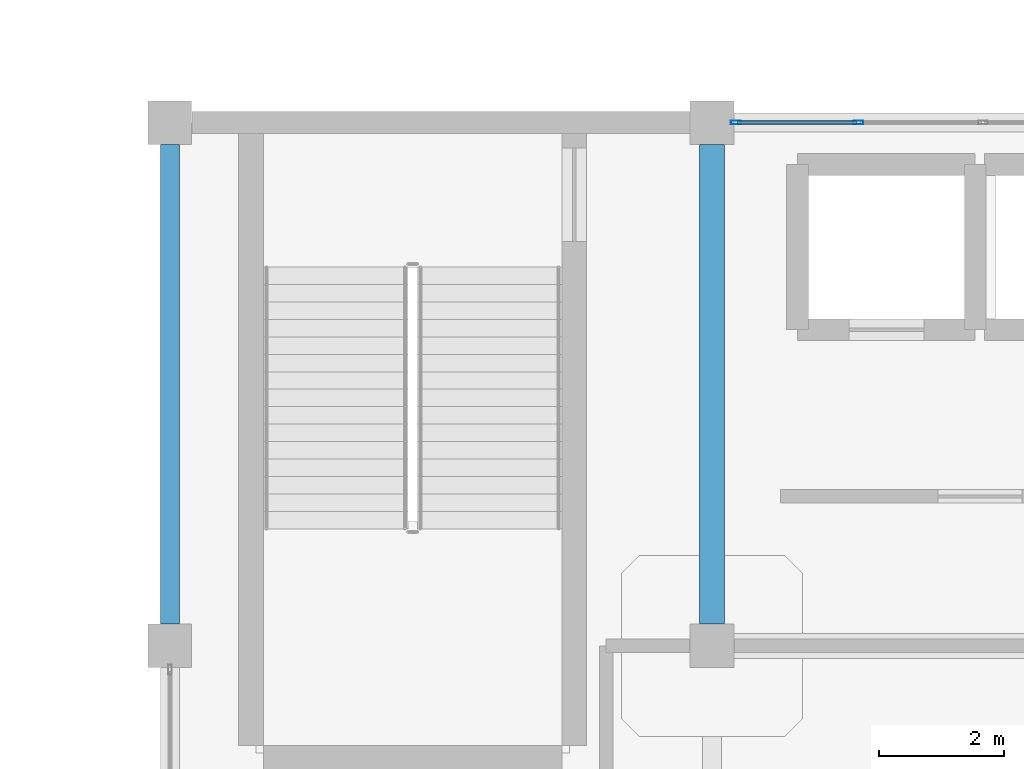
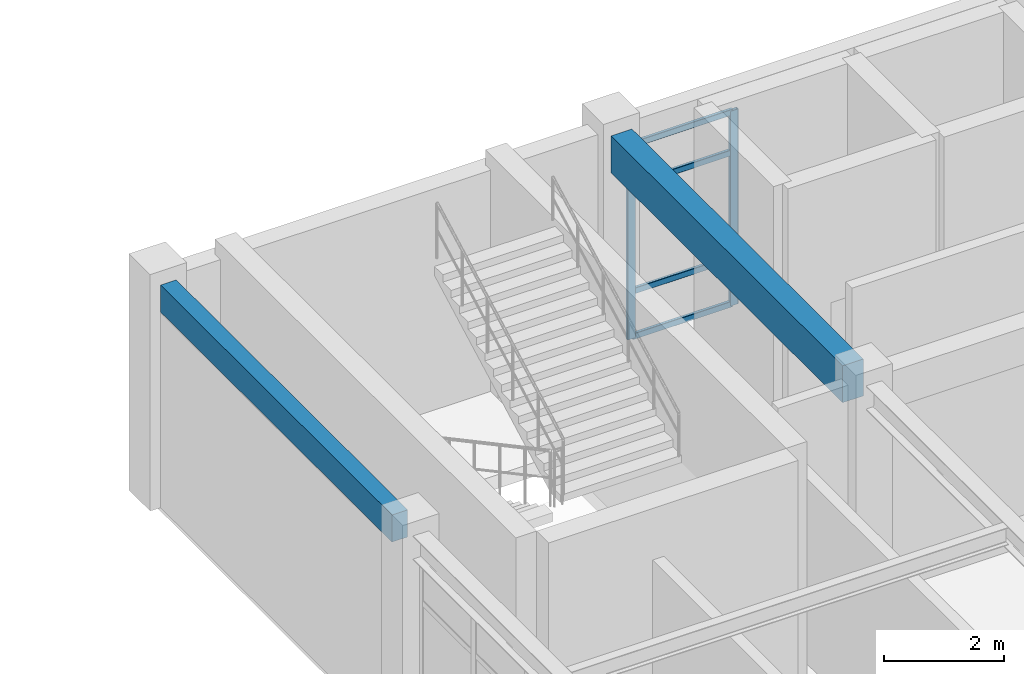
# One storey, part 32 of 76: 6 members, 2 beams, 1 element without a shape of its own.
"""IFC4 building model written with IfcOpenShell, lengths in metres."""

from ifc_helpers import new_model, si_unit, derived_unit, direction, frame, origin, origin_2d, place, context, subcontext, project, spatial, rectangle, hollow_rectangle, extrude, material, layer, layer_set, material_profile, profile_set, type_object, element, aggregate, save


model = new_model("IFC4")

# Units and contexts
model_context = context("Model", 3, precision=1e-05, world=origin(), true_north=direction((0.0, 1.0)))
body_context = subcontext(model_context, "Body", "Model", "MODEL_VIEW")
ifc_project = project(units=[si_unit("LENGTHUNIT", "METRE"), si_unit("AREAUNIT", "SQUARE_METRE"), si_unit("VOLUMEUNIT", "CUBIC_METRE"), si_unit("PLANEANGLEUNIT", "RADIAN"), si_unit("MASSUNIT", "GRAM", prefix="KILO"), derived_unit("THERMALTRANSMITTANCEUNIT", [(si_unit("MASSUNIT", "GRAM", prefix="KILO"), 1), (si_unit("TIMEUNIT", "SECOND"), -3), (si_unit("THERMODYNAMICTEMPERATUREUNIT", "KELVIN"), -1)])], contexts=[model_context])

# Site, building, storey
site_placement = place(None, origin())
site = spatial("IfcSite", under=ifc_project, at=site_placement, CompositionType="ELEMENT")
building_placement = place(site_placement, origin())
building = spatial("IfcBuilding", under=site, at=building_placement, Name="Qinzheling Arcade Emporium", CompositionType="ELEMENT")
storey_placement = place(building_placement, frame((0.0, 0.0, 26.699951171875)))
storey = spatial("IfcBuildingStorey", under=building, at=storey_placement, Name="L06", CompositionType="ELEMENT", Elevation=26.699951171875)

# Curtain wall, members
ifc_material_1 = material(Name="Anodised aluminium and solar-control double glazing", Category="aluminium")
ifc_layer = layer(ifc_material_1, 0.159912109375, Name="Anodised aluminium and solar-control double glazing", Category="aluminium")
ifc_layer_set = layer_set([ifc_layer], Name="Anodised aluminium and solar-control double glazing")
curtain_wall_type = type_object("IfcCurtainWallType", Name="Atrium Clerestory Curtain Wall", PredefinedType="NOTDEFINED", material=ifc_layer_set)
curtain_wall_placement = place(storey_placement, origin())
curtain_wall = element("IfcCurtainWall", 1, at=curtain_wall_placement, inside=storey, type_object=curtain_wall_type, Name="Curtain Wall CW-L06-366", PredefinedType="NOTDEFINED")
ifc_material_2 = material(Name="Anodised aluminium 6063-T6", Category="aluminium")
ifc_material_profile_1 = material_profile(ifc_material_2, hollow_rectangle(XDim=0.06005859375, YDim=0.159912109375, WallThickness=0.00390625, InnerFilletRadius=0.00390625, OuterFilletRadius=0.008056640625, at=origin_2d()), Name="RHS 160x60x4", Category="aluminium")
ifc_profile_set_1 = profile_set([ifc_material_profile_1], Name="Anodised aluminium 6063-T6")
member_type_1 = type_object("IfcMemberType", Name="Curtain Wall Mullion RHS160x60", PredefinedType="MULLION", material=ifc_profile_set_1)
member_1_placement = place(storey_placement, frame((43.882080078125, 73.800048828125, 0.0), z_axis=(0.0, 0.0, 1.0), x_axis=(0.0, 1.0, 0.0)))
member_1 = element("IfcMember", 2, at=member_1_placement, type_object=member_type_1, Name="CW03 mullion 1", PredefinedType="MULLION", context=body_context, shape_type="SweptSolid", body=[
    extrude(hollow_rectangle(XDim=0.06005859375, YDim=0.159912109375, WallThickness=0.00390625, InnerFilletRadius=0.00390625, OuterFilletRadius=0.008056640625, at=origin_2d()), origin(), (0.0, 0.0, 1.0), 3.955078125),
])
member_2_placement = place(storey_placement, frame((45.85107421875, 73.800048828125, 0.0), z_axis=(0.0, 0.0, 1.0), x_axis=(0.0, 1.0, 0.0)))
member_2 = element("IfcMember", 3, at=member_2_placement, type_object=member_type_1, Name="CW03 mullion 2", PredefinedType="MULLION", context=body_context, shape_type="SweptSolid", body=[
    extrude(hollow_rectangle(XDim=0.06005859375, YDim=0.159912109375, WallThickness=0.00390625, InnerFilletRadius=0.00390625, OuterFilletRadius=0.008056640625, at=origin_2d()), origin(), (0.0, 0.0, 1.0), 3.955078125),
])
ifc_material_profile_2 = material_profile(ifc_material_2, hollow_rectangle(XDim=0.06005859375, YDim=0.1201171875, WallThickness=0.00390625, InnerFilletRadius=0.00390625, OuterFilletRadius=0.008056640625, at=origin_2d()), Name="RHS 120x60x4", Category="aluminium")
ifc_profile_set_2 = profile_set([ifc_material_profile_2], Name="Anodised aluminium 6063-T6")
member_type_2 = type_object("IfcMemberType", Name="Curtain Wall Transom RHS120x60", PredefinedType="USERDEFINED", material=ifc_profile_set_2)
member_3_placement = place(storey_placement, frame((43.912109375, 73.800048828125, 0.030029296875), z_axis=(1.0, 0.0, 0.0), x_axis=(0.0, 1.0, 0.0)))
member_3 = element("IfcMember", 4, at=member_3_placement, type_object=member_type_2, Name="CW03 transom 1.1", ObjectType="TRANSOM", PredefinedType="USERDEFINED", context=body_context, shape_type="SweptSolid", body=[
    extrude(hollow_rectangle(XDim=0.06005859375, YDim=0.1201171875, WallThickness=0.00390625, InnerFilletRadius=0.00390625, OuterFilletRadius=0.008056640625, at=origin_2d()), origin(), (0.0, 0.0, 1.0), 1.908935546875),
])
member_4_placement = place(storey_placement, frame((43.912109375, 73.800048828125, 0.949951171875), z_axis=(1.0, 0.0, 0.0), x_axis=(0.0, 1.0, 0.0)))
member_4 = element("IfcMember", 5, at=member_4_placement, type_object=member_type_2, Name="CW03 transom 1.2", ObjectType="TRANSOM", PredefinedType="USERDEFINED", context=body_context, shape_type="SweptSolid", body=[
    extrude(hollow_rectangle(XDim=0.06005859375, YDim=0.1201171875, WallThickness=0.00390625, InnerFilletRadius=0.00390625, OuterFilletRadius=0.008056640625, at=origin_2d()), origin(), (0.0, 0.0, 1.0), 1.908935546875),
])
member_5_placement = place(storey_placement, frame((43.912109375, 73.800048828125, 3.10498046875), z_axis=(1.0, 0.0, 0.0), x_axis=(0.0, 1.0, 0.0)))
member_5 = element("IfcMember", 6, at=member_5_placement, type_object=member_type_2, Name="CW03 transom 1.3", ObjectType="TRANSOM", PredefinedType="USERDEFINED", context=body_context, shape_type="SweptSolid", body=[
    extrude(hollow_rectangle(XDim=0.06005859375, YDim=0.1201171875, WallThickness=0.00390625, InnerFilletRadius=0.00390625, OuterFilletRadius=0.008056640625, at=origin_2d()), origin(), (0.0, 0.0, 1.0), 1.908935546875),
])
member_6_placement = place(storey_placement, frame((43.912109375, 73.800048828125, 3.925048828125), z_axis=(1.0, 0.0, 0.0), x_axis=(0.0, 1.0, 0.0)))
member_6 = element("IfcMember", 7, at=member_6_placement, type_object=member_type_2, Name="CW03 transom 1.4", ObjectType="TRANSOM", PredefinedType="USERDEFINED", context=body_context, shape_type="SweptSolid", body=[
    extrude(hollow_rectangle(XDim=0.06005859375, YDim=0.1201171875, WallThickness=0.00390625, InnerFilletRadius=0.00390625, OuterFilletRadius=0.008056640625, at=origin_2d()), origin(), (0.0, 0.0, 1.0), 1.908935546875),
])
aggregate(curtain_wall, [member_1, member_2, member_3, member_4, member_5, member_6])

# Beams
ifc_material_3 = material(Name="Concrete C40", Category="concrete")
ifc_material_profile_3 = material_profile(ifc_material_3, rectangle(XDim=0.39990234375, YDim=0.75, at=origin_2d()), Name="RC 400x750", Category="concrete")
ifc_profile_set_3 = profile_set([ifc_material_profile_3], Name="Concrete C40")
beam_type_1 = type_object("IfcBeamType", Name="RC Interior Tie Beam 400x750 C40", PredefinedType="BEAM", material=ifc_profile_set_3)
beam_1_placement = place(storey_placement, frame((43.5, 65.75, 4.14501953125), z_axis=(0.0, 1.0, 0.0), x_axis=(-1.0, 0.0, 0.0)))
element("IfcBeam", 8, at=beam_1_placement, inside=storey, type_object=beam_type_1, Name="Beam BM-L06-Y-6-H", PredefinedType="BEAM", context=body_context, shape_type="SweptSolid", body=[
    extrude(rectangle(XDim=0.39990234375, YDim=0.75, at=origin_2d()), origin(), (0.0, 0.0, 1.0), 7.699951171875),
])
ifc_material_profile_4 = material_profile(ifc_material_3, rectangle(XDim=0.300048828125, YDim=0.550048828125, at=origin_2d()), Name="RC 300x550", Category="concrete")
ifc_profile_set_4 = profile_set([ifc_material_profile_4], Name="Concrete C40")
beam_type_2 = type_object("IfcBeamType", Name="RC Terrace Spandrel Beam 300x550 C40", PredefinedType="SPANDREL", material=ifc_profile_set_4)
beam_2_placement = place(storey_placement, frame((34.800048828125, 65.75, 4.2451171875), z_axis=(0.0, 1.0, 0.0), x_axis=(-1.0, 0.0, 0.0)))
element("IfcBeam", 9, at=beam_2_placement, inside=storey, type_object=beam_type_2, Name="Beam BM-L06-Y-5-H", PredefinedType="SPANDREL", context=body_context, shape_type="SweptSolid", body=[
    extrude(rectangle(XDim=0.300048828125, YDim=0.550048828125, at=origin_2d()), origin(), (0.0, 0.0, 1.0), 7.699951171875),
])

save(model, "model.ifc")
